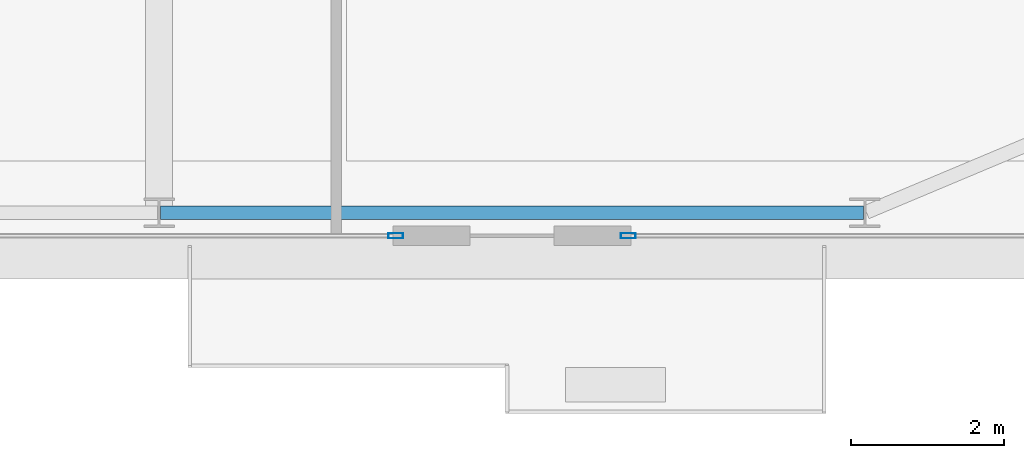
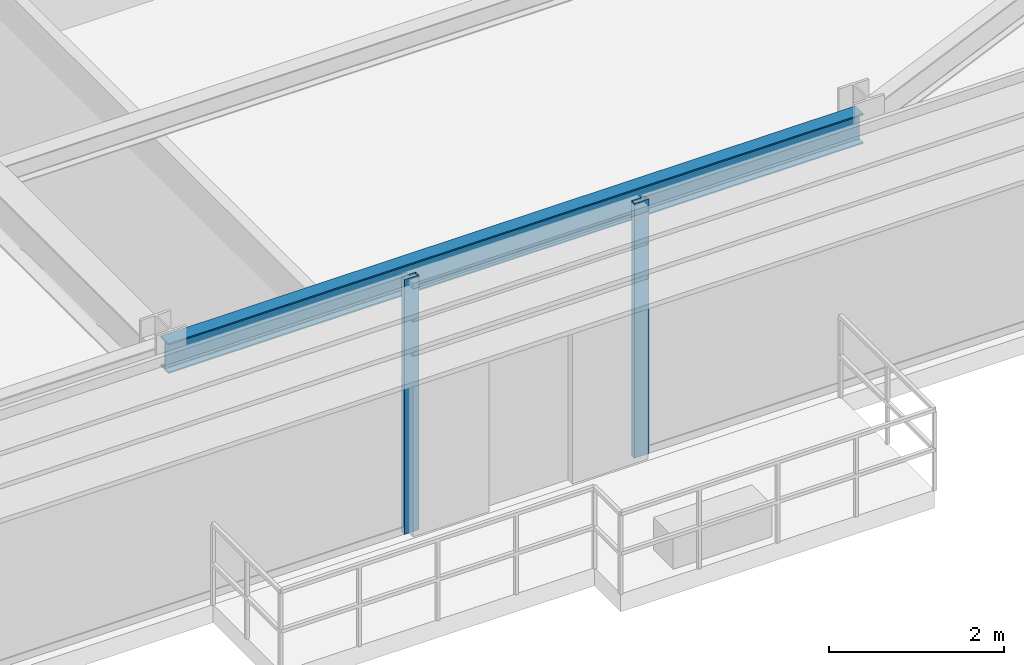
# One storey, part 12 of 37: 2 members, 1 beam, 2 elements without a shape of their own.
"""IFC4 building model written with IfcOpenShell, lengths in metres."""

from ifc_helpers import new_model, si_unit, direction, frame, origin, origin_2d, place, context, subcontext, project, spatial, hollow_rectangle, i_section, extrude, source, transform, mapped, material, layer, layer_set, material_profile, profile_set, type_object, type_shapes, element, aggregate, save


model = new_model("IFC4")

# Units and contexts
model_context = context("Model", 3, precision=1e-05, world=origin(), true_north=direction((0.0, 1.0)))
body_context = subcontext(model_context, "Body", "Model", "MODEL_VIEW")
ifc_project = project(units=[si_unit("LENGTHUNIT", "METRE"), si_unit("AREAUNIT", "SQUARE_METRE"), si_unit("VOLUMEUNIT", "CUBIC_METRE"), si_unit("PLANEANGLEUNIT", "RADIAN"), si_unit("MASSUNIT", "GRAM", prefix="KILO")], contexts=[model_context])

# Site, building, storey
site_placement = place(None, origin())
site = spatial("IfcSite", under=ifc_project, at=site_placement, CompositionType="ELEMENT")
building_placement = place(site_placement, origin())
building = spatial("IfcBuilding", under=site, at=building_placement, Name="Varnel Quay Broadcast Tower", CompositionType="ELEMENT")
storey_placement = place(building_placement, frame((0.0, 0.0, 125.800048828125)))
storey = spatial("IfcBuildingStorey", under=building, at=storey_placement, Name="L30", CompositionType="ELEMENT", Elevation=125.800048828125)

# Beam
ifc_material_1 = material(Name="Structural Steel CSA G40.21 350W", Category="steel")
ifc_material_profile_1 = material_profile(ifc_material_1, i_section(OverallWidth=0.180908203125, OverallDepth=0.4169921875, WebThickness=0.010986328125, FlangeThickness=0.018310546875, FilletRadius=0.011962890625, at=origin_2d()), Name="W410X85")
ifc_profile_set_1 = profile_set([ifc_material_profile_1], Name="Structural Steel CSA G40.21 350W")
beam_type = type_object("IfcBeamType", Name="Beam_W410X85", PredefinedType="SPANDREL", material=ifc_profile_set_1)
shared_shape_1 = source(origin(), body_context, "Body", "SweptSolid", [
    extrude(i_section(OverallWidth=0.180908203125, OverallDepth=0.4169921875, WebThickness=0.010986328125, FlangeThickness=0.018310546875, FilletRadius=0.011962890625, at=origin_2d()), origin(), (0.0, 0.0, 1.0), 9.159912109375),
])
type_shapes(beam_type, [shared_shape_1])
beam_placement = place(storey_placement, frame((43.219970703125, 4.64990234375, 3.341552734375), z_axis=(1.0, 0.0, 0.0), x_axis=(0.0, 1.0, 0.0)))
element("IfcBeam", 1, at=beam_placement, inside=storey, type_object=beam_type, Name="L30 South Spandrel TC-S4-TC-S5", PredefinedType="SPANDREL", context=body_context, shape_type="MappedRepresentation", body=[
    mapped(shared_shape_1, transform((0.0, 0.0, 0.0), x_axis=(1.0, 0.0, 0.0), y_axis=(0.0, 1.0, 0.0), z_axis=(0.0, 0.0, 1.0), scale=1.0)),
])

# Curtain wall, member
ifc_material_2 = material(Name="Anodised Bronze Aluminium 6063-T6", Category="aluminium")
ifc_layer = layer(ifc_material_2, 0.18994140625, Name="Anodised Bronze Aluminium 6063-T6")
ifc_layer_set = layer_set([ifc_layer], Name="Anodised Bronze Aluminium 6063-T6")
curtain_wall_type = type_object("IfcCurtainWallType", Name="CW_LowerTower", PredefinedType="NOTDEFINED", material=ifc_layer_set)
curtain_wall_1_placement = place(storey_placement, origin())
curtain_wall_1 = element("IfcCurtainWall", 2, at=curtain_wall_1_placement, inside=storey, type_object=curtain_wall_type, Name="L30 South Unitised Curtain Wall 2", PredefinedType="NOTDEFINED")
ifc_material_profile_2 = material_profile(ifc_material_2, hollow_rectangle(XDim=0.070068359375, YDim=0.18994140625, WallThickness=0.00390625, at=origin_2d()), Name="ALU70X190X4")
ifc_profile_set_2 = profile_set([ifc_material_profile_2], Name="Anodised Bronze Aluminium 6063-T6")
member_type = type_object("IfcMemberType", Name="Mull_CWS-02", PredefinedType="MULLION", material=ifc_profile_set_2)
shared_shape_2 = source(origin(), body_context, "Body", "SweptSolid", [
    extrude(hollow_rectangle(XDim=0.070068359375, YDim=0.18994140625, WallThickness=0.00390625, at=origin_2d()), origin(), (0.0, 0.0, 1.0), 3.550048828125),
])
type_shapes(member_type, [shared_shape_2])
member_1_placement = place(storey_placement, frame((46.284912109375, 4.35009765625, 0.0), z_axis=(0.0, 0.0, 1.0), x_axis=(0.0, 1.0, 0.0)))
member_1 = element("IfcMember", 3, at=member_1_placement, type_object=member_type, Name="CWS-02 mullion 3", PredefinedType="MULLION", context=body_context, shape_type="MappedRepresentation", body=[
    mapped(shared_shape_2, transform((0.0, 0.0, 0.0), x_axis=(1.0, 0.0, 0.0), y_axis=(0.0, 1.0, 0.0), z_axis=(0.0, 0.0, 1.0), scale=1.0)),
])
aggregate(curtain_wall_1, [member_1])

curtain_wall_2_placement = place(storey_placement, origin())
curtain_wall_2 = element("IfcCurtainWall", 4, at=curtain_wall_2_placement, inside=storey, type_object=curtain_wall_type, Name="L30 South Unitised Curtain Wall 3", PredefinedType="NOTDEFINED")
member_2_placement = place(storey_placement, frame((49.31494140625, 4.35009765625, 0.0), z_axis=(0.0, 0.0, 1.0), x_axis=(0.0, 1.0, 0.0)))
member_2 = element("IfcMember", 5, at=member_2_placement, type_object=member_type, Name="CWS-02 mullion 1", PredefinedType="MULLION", context=body_context, shape_type="MappedRepresentation", body=[
    mapped(shared_shape_2, transform((0.0, 0.0, 0.0), x_axis=(1.0, 0.0, 0.0), y_axis=(0.0, 1.0, 0.0), z_axis=(0.0, 0.0, 1.0), scale=1.0)),
])
aggregate(curtain_wall_2, [member_2])

save(model, "model.ifc")
